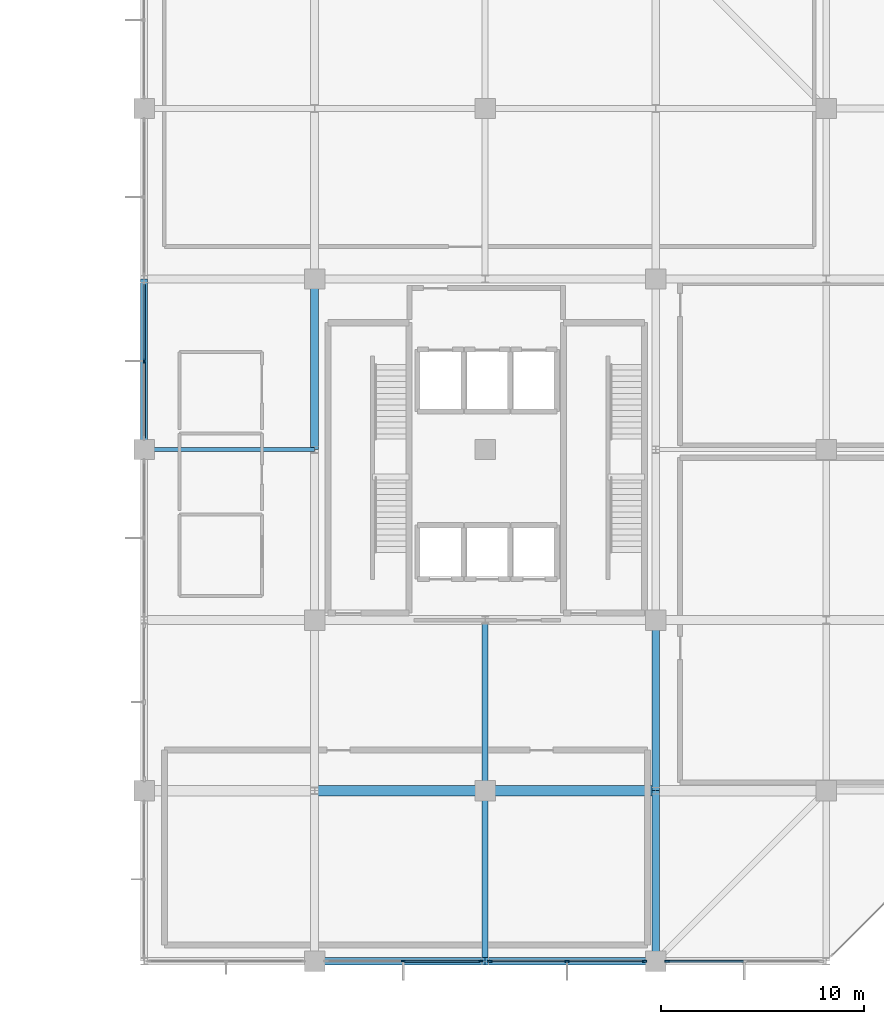
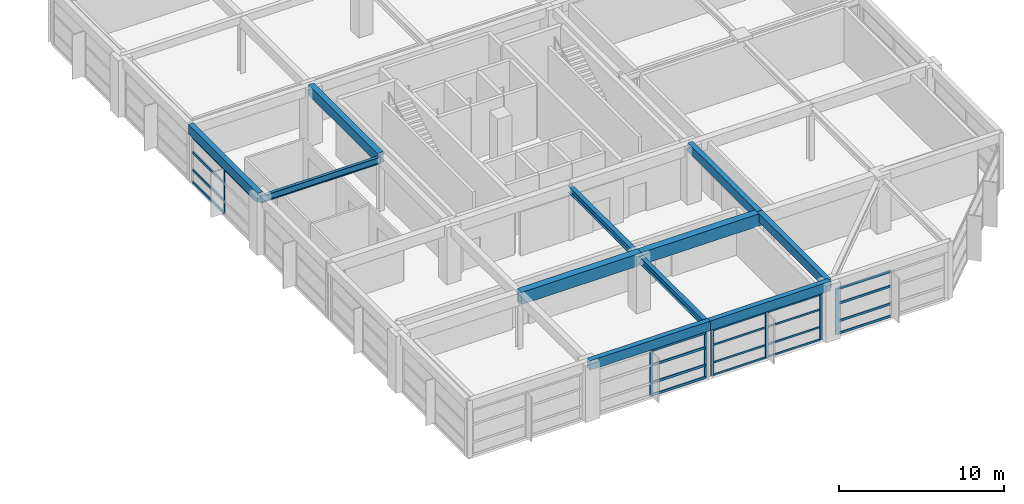
# One storey, part 19 of 32: 28 members, 11 beams, 4 elements without a shape of their own.
"""IFC4 building model written with IfcOpenShell, lengths in metres."""

from ifc_helpers import new_model, si_unit, direction, frame, origin, origin_2d, place, context, subcontext, project, spatial, rectangle, i_section, extrude, material, material_profile, profile_set, type_object, element, aggregate, save


model = new_model("IFC4")

# Units and contexts
model_context = context("Model", 3, precision=1e-05, world=origin(), true_north=direction((0.0, 1.0)))
body_context = subcontext(model_context, "Body", "Model", "MODEL_VIEW")
ifc_project = project(units=[si_unit("LENGTHUNIT", "METRE"), si_unit("AREAUNIT", "SQUARE_METRE"), si_unit("VOLUMEUNIT", "CUBIC_METRE"), si_unit("PLANEANGLEUNIT", "RADIAN"), si_unit("MASSUNIT", "GRAM", prefix="KILO")], contexts=[model_context])

# Site, building, storey
site_placement = place(None, origin())
site = spatial("IfcSite", under=ifc_project, at=site_placement, CompositionType="ELEMENT")
building_placement = place(site_placement, origin())
building = spatial("IfcBuilding", under=site, at=building_placement, Name="Xuanlan Plaza Opera House", CompositionType="ELEMENT")
storey_placement = place(building_placement, frame((0.0, 0.0, 40.5)))
storey = spatial("IfcBuildingStorey", under=building, at=storey_placement, Name="L09", CompositionType="ELEMENT", Elevation=40.5)

# Curtain wall, members
ifc_material_1 = material(Name="Anodised Aluminium 6063-T6 and Low-E Glass", Category="aluminium")
curtain_wall_type_1 = type_object("IfcCurtainWallType", Name="ENV-CW-CW-01", PredefinedType="USERDEFINED", material=ifc_material_1)
curtain_wall_1_placement = place(storey_placement, origin())
curtain_wall_1 = element("IfcCurtainWall", 1, at=curtain_wall_1_placement, inside=storey, type_object=curtain_wall_type_1, Name="Unitised Curtain Wall L09-002", ObjectType="UNITISED CURTAIN WALL", PredefinedType="USERDEFINED")
ifc_material_2 = material(Name="Anodised Aluminium 6063-T6", Category="aluminium")
ifc_material_profile_1 = material_profile(ifc_material_2, rectangle(XDim=0.074951171875, YDim=0.199951171875, at=origin_2d()), Name="ALU-M 75x200")
ifc_profile_set_1 = profile_set([ifc_material_profile_1], Name="Anodised Aluminium 6063-T6")
member_type_1 = type_object("IfcMemberType", Name="ENV-CWM-03", PredefinedType="MULLION", material=ifc_profile_set_1)
member_1_placement = place(storey_placement, frame((138.762451171875, 33.60009765625, 0.0), z_axis=(0.0, 0.0, 1.0), x_axis=(0.0, 1.0, 0.0)))
member_1 = element("IfcMember", 2, at=member_1_placement, type_object=member_type_1, Name="CW-01 mullion 2", PredefinedType="MULLION", context=body_context, shape_type="SweptSolid", body=[
    extrude(rectangle(XDim=0.074951171875, YDim=0.199951171875, at=origin_2d()), origin(), (0.0, 0.0, 1.0), 3.3798828125),
])
member_2_placement = place(storey_placement, frame((142.5673828125, 33.60009765625, 0.0), z_axis=(0.0, 0.0, 1.0), x_axis=(0.0, 1.0, 0.0)))
member_2 = element("IfcMember", 3, at=member_2_placement, type_object=member_type_1, Name="CW-01 mullion 3", PredefinedType="MULLION", context=body_context, shape_type="SweptSolid", body=[
    extrude(rectangle(XDim=0.074951171875, YDim=0.199951171875, at=origin_2d()), origin(), (0.0, 0.0, 1.0), 3.3798828125),
])

# Curtain wall, member
curtain_wall_type_2 = type_object("IfcCurtainWallType", Name="ENV-CW-CW-04", PredefinedType="USERDEFINED", material=ifc_material_1)
curtain_wall_2_placement = place(storey_placement, origin())
curtain_wall_2 = element("IfcCurtainWall", 4, at=curtain_wall_2_placement, inside=storey, type_object=curtain_wall_type_2, Name="Unitised Curtain Wall L09-017", ObjectType="UNITISED CURTAIN WALL", PredefinedType="USERDEFINED")
member_3_placement = place(storey_placement, frame((126.0, 63.16259765625, 0.0), z_axis=(0.0, 0.0, 1.0), x_axis=(1.0, 0.0, 0.0)))
member_3 = element("IfcMember", 5, at=member_3_placement, type_object=member_type_1, Name="CW-04 mullion 2", PredefinedType="MULLION", context=body_context, shape_type="SweptSolid", body=[
    extrude(rectangle(XDim=0.074951171875, YDim=0.199951171875, at=origin_2d()), origin(), (0.0, 0.0, 1.0), 3.3798828125),
])

# Curtain wall, members
curtain_wall_type_3 = type_object("IfcCurtainWallType", Name="ENV-CW-CW-02", PredefinedType="USERDEFINED", material=ifc_material_1)
curtain_wall_3_placement = place(storey_placement, origin())
curtain_wall_3 = element("IfcCurtainWall", 6, at=curtain_wall_3_placement, inside=storey, type_object=curtain_wall_type_3, Name="Unitised Curtain Wall L09-003", ObjectType="UNITISED CURTAIN WALL", PredefinedType="USERDEFINED")
ifc_material_profile_2 = material_profile(ifc_material_2, rectangle(XDim=0.080078125, YDim=0.219970703125, at=origin_2d()), Name="ALU-M 80x220")
ifc_profile_set_2 = profile_set([ifc_material_profile_2], Name="Anodised Aluminium 6063-T6")
member_type_2 = type_object("IfcMemberType", Name="ENV-CWM-04", PredefinedType="MULLION", material=ifc_profile_set_2)
member_4_placement = place(storey_placement, frame((143.034912109375, 33.60009765625, 0.0), z_axis=(0.0, 0.0, 1.0), x_axis=(0.0, 1.0, 0.0)))
member_4 = element("IfcMember", 7, at=member_4_placement, type_object=member_type_2, Name="CW-02 mullion 1", PredefinedType="MULLION", context=body_context, shape_type="SweptSolid", body=[
    extrude(rectangle(XDim=0.080078125, YDim=0.219970703125, at=origin_2d()), origin(), (0.0, 0.0, 1.0), 3.3798828125),
])
member_5_placement = place(storey_placement, frame((146.83740234375, 33.60009765625, 0.0), z_axis=(0.0, 0.0, 1.0), x_axis=(0.0, 1.0, 0.0)))
member_5 = element("IfcMember", 8, at=member_5_placement, type_object=member_type_2, Name="CW-02 mullion 2", PredefinedType="MULLION", context=body_context, shape_type="SweptSolid", body=[
    extrude(rectangle(XDim=0.080078125, YDim=0.219970703125, at=origin_2d()), origin(), (0.0, 0.0, 1.0), 3.3798828125),
])
member_6_placement = place(storey_placement, frame((150.639892578125, 33.60009765625, 0.0), z_axis=(0.0, 0.0, 1.0), x_axis=(0.0, 1.0, 0.0)))
member_6 = element("IfcMember", 9, at=member_6_placement, type_object=member_type_2, Name="CW-02 mullion 3", PredefinedType="MULLION", context=body_context, shape_type="SweptSolid", body=[
    extrude(rectangle(XDim=0.080078125, YDim=0.219970703125, at=origin_2d()), origin(), (0.0, 0.0, 1.0), 3.3798828125),
])

# Curtain wall, member
curtain_wall_type_4 = type_object("IfcCurtainWallType", Name="ENV-CW-CW-03", PredefinedType="USERDEFINED", material=ifc_material_1)
curtain_wall_4_placement = place(storey_placement, origin())
curtain_wall_4 = element("IfcCurtainWall", 10, at=curtain_wall_4_placement, inside=storey, type_object=curtain_wall_type_4, Name="Unitised Curtain Wall L09-004", ObjectType="UNITISED CURTAIN WALL", PredefinedType="USERDEFINED")
ifc_material_profile_3 = material_profile(ifc_material_2, rectangle(XDim=0.090087890625, YDim=0.25, at=origin_2d()), Name="ALU-M 90x250")
ifc_profile_set_3 = profile_set([ifc_material_profile_3], Name="Anodised Aluminium 6063-T6")
member_type_3 = type_object("IfcMemberType", Name="ENV-CWM-05", PredefinedType="MULLION", material=ifc_profile_set_3)
member_7_placement = place(storey_placement, frame((151.764892578125, 33.60009765625, 0.0), z_axis=(0.0, 0.0, 1.0), x_axis=(0.0, 1.0, 0.0)))
member_7 = element("IfcMember", 11, at=member_7_placement, type_object=member_type_3, Name="CW-03 mullion 1", PredefinedType="MULLION", context=body_context, shape_type="SweptSolid", body=[
    extrude(rectangle(XDim=0.090087890625, YDim=0.25, at=origin_2d()), origin(), (0.0, 0.0, 1.0), 3.3798828125),
])

# Member
ifc_material_profile_4 = material_profile(ifc_material_2, rectangle(XDim=0.070068359375, YDim=0.135009765625, at=origin_2d()), Name="ALU-T 70x135")
ifc_profile_set_4 = profile_set([ifc_material_profile_4], Name="Anodised Aluminium 6063-T6")
member_type_4 = type_object("IfcMemberType", Name="ENV-CWT-02", PredefinedType="USERDEFINED", material=ifc_profile_set_4)
member_8_placement = place(storey_placement, frame((143.074951171875, 33.60009765625, 0.034912109375), z_axis=(1.0, 0.0, 0.0), x_axis=(0.0, 1.0, 0.0)))
member_8 = element("IfcMember", 12, at=member_8_placement, type_object=member_type_4, Name="CW-02 transom 1.1", ObjectType="TRANSOM", PredefinedType="USERDEFINED", context=body_context, shape_type="SweptSolid", body=[
    extrude(rectangle(XDim=0.070068359375, YDim=0.135009765625, at=origin_2d()), origin(), (0.0, 0.0, 1.0), 3.72265625),
])

member_9_placement = place(storey_placement, frame((143.074951171875, 33.60009765625, 0.949951171875), z_axis=(1.0, 0.0, 0.0), x_axis=(0.0, 1.0, 0.0)))
member_9 = element("IfcMember", 13, at=member_9_placement, type_object=member_type_4, Name="CW-02 transom 1.2", ObjectType="TRANSOM", PredefinedType="USERDEFINED", context=body_context, shape_type="SweptSolid", body=[
    extrude(rectangle(XDim=0.070068359375, YDim=0.135009765625, at=origin_2d()), origin(), (0.0, 0.0, 1.0), 3.72265625),
])

member_10_placement = place(storey_placement, frame((143.074951171875, 33.60009765625, 2.25), z_axis=(1.0, 0.0, 0.0), x_axis=(0.0, 1.0, 0.0)))
member_10 = element("IfcMember", 14, at=member_10_placement, type_object=member_type_4, Name="CW-02 transom 1.3", ObjectType="TRANSOM", PredefinedType="USERDEFINED", context=body_context, shape_type="SweptSolid", body=[
    extrude(rectangle(XDim=0.070068359375, YDim=0.135009765625, at=origin_2d()), origin(), (0.0, 0.0, 1.0), 3.72265625),
])

member_11_placement = place(storey_placement, frame((143.074951171875, 33.60009765625, 3.344970703125), z_axis=(1.0, 0.0, 0.0), x_axis=(0.0, 1.0, 0.0)))
member_11 = element("IfcMember", 15, at=member_11_placement, type_object=member_type_4, Name="CW-02 transom 1.4", ObjectType="TRANSOM", PredefinedType="USERDEFINED", context=body_context, shape_type="SweptSolid", body=[
    extrude(rectangle(XDim=0.070068359375, YDim=0.135009765625, at=origin_2d()), origin(), (0.0, 0.0, 1.0), 3.72265625),
])

member_12_placement = place(storey_placement, frame((146.87744140625, 33.60009765625, 0.034912109375), z_axis=(1.0, 0.0, 0.0), x_axis=(0.0, 1.0, 0.0)))
member_12 = element("IfcMember", 16, at=member_12_placement, type_object=member_type_4, Name="CW-02 transom 2.1", ObjectType="TRANSOM", PredefinedType="USERDEFINED", context=body_context, shape_type="SweptSolid", body=[
    extrude(rectangle(XDim=0.070068359375, YDim=0.135009765625, at=origin_2d()), origin(), (0.0, 0.0, 1.0), 3.72265625),
])

member_13_placement = place(storey_placement, frame((146.87744140625, 33.60009765625, 0.949951171875), z_axis=(1.0, 0.0, 0.0), x_axis=(0.0, 1.0, 0.0)))
member_13 = element("IfcMember", 17, at=member_13_placement, type_object=member_type_4, Name="CW-02 transom 2.2", ObjectType="TRANSOM", PredefinedType="USERDEFINED", context=body_context, shape_type="SweptSolid", body=[
    extrude(rectangle(XDim=0.070068359375, YDim=0.135009765625, at=origin_2d()), origin(), (0.0, 0.0, 1.0), 3.72265625),
])

member_14_placement = place(storey_placement, frame((146.87744140625, 33.60009765625, 2.25), z_axis=(1.0, 0.0, 0.0), x_axis=(0.0, 1.0, 0.0)))
member_14 = element("IfcMember", 18, at=member_14_placement, type_object=member_type_4, Name="CW-02 transom 2.3", ObjectType="TRANSOM", PredefinedType="USERDEFINED", context=body_context, shape_type="SweptSolid", body=[
    extrude(rectangle(XDim=0.070068359375, YDim=0.135009765625, at=origin_2d()), origin(), (0.0, 0.0, 1.0), 3.72265625),
])

member_15_placement = place(storey_placement, frame((146.87744140625, 33.60009765625, 3.344970703125), z_axis=(1.0, 0.0, 0.0), x_axis=(0.0, 1.0, 0.0)))
member_15 = element("IfcMember", 19, at=member_15_placement, type_object=member_type_4, Name="CW-02 transom 2.4", ObjectType="TRANSOM", PredefinedType="USERDEFINED", context=body_context, shape_type="SweptSolid", body=[
    extrude(rectangle(XDim=0.070068359375, YDim=0.135009765625, at=origin_2d()), origin(), (0.0, 0.0, 1.0), 3.72265625),
])

aggregate(curtain_wall_3, [member_4, member_5, member_6, member_8, member_9, member_10, member_11, member_12, member_13, member_14, member_15])

ifc_material_profile_5 = material_profile(ifc_material_2, rectangle(XDim=0.080078125, YDim=0.1650390625, at=origin_2d()), Name="ALU-T 80x165")
ifc_profile_set_5 = profile_set([ifc_material_profile_5], Name="Anodised Aluminium 6063-T6")
member_type_5 = type_object("IfcMemberType", Name="ENV-CWT-04", PredefinedType="USERDEFINED", material=ifc_profile_set_5)
member_16_placement = place(storey_placement, frame((151.81005859375, 33.60009765625, 0.0400390625), z_axis=(1.0, 0.0, 0.0), x_axis=(0.0, 1.0, 0.0)))
member_16 = element("IfcMember", 20, at=member_16_placement, type_object=member_type_5, Name="CW-03 transom 1.1", ObjectType="TRANSOM", PredefinedType="USERDEFINED", context=body_context, shape_type="SweptSolid", body=[
    extrude(rectangle(XDim=0.080078125, YDim=0.1650390625, at=origin_2d()), origin(), (0.0, 0.0, 1.0), 3.70751953125),
])

member_17_placement = place(storey_placement, frame((151.81005859375, 33.60009765625, 0.949951171875), z_axis=(1.0, 0.0, 0.0), x_axis=(0.0, 1.0, 0.0)))
member_17 = element("IfcMember", 21, at=member_17_placement, type_object=member_type_5, Name="CW-03 transom 1.2", ObjectType="TRANSOM", PredefinedType="USERDEFINED", context=body_context, shape_type="SweptSolid", body=[
    extrude(rectangle(XDim=0.080078125, YDim=0.1650390625, at=origin_2d()), origin(), (0.0, 0.0, 1.0), 3.70751953125),
])

member_18_placement = place(storey_placement, frame((151.81005859375, 33.60009765625, 2.25), z_axis=(1.0, 0.0, 0.0), x_axis=(0.0, 1.0, 0.0)))
member_18 = element("IfcMember", 22, at=member_18_placement, type_object=member_type_5, Name="CW-03 transom 1.3", ObjectType="TRANSOM", PredefinedType="USERDEFINED", context=body_context, shape_type="SweptSolid", body=[
    extrude(rectangle(XDim=0.080078125, YDim=0.1650390625, at=origin_2d()), origin(), (0.0, 0.0, 1.0), 3.70751953125),
])

member_19_placement = place(storey_placement, frame((151.81005859375, 33.60009765625, 3.340087890625), z_axis=(1.0, 0.0, 0.0), x_axis=(0.0, 1.0, 0.0)))
member_19 = element("IfcMember", 23, at=member_19_placement, type_object=member_type_5, Name="CW-03 transom 1.4", ObjectType="TRANSOM", PredefinedType="USERDEFINED", context=body_context, shape_type="SweptSolid", body=[
    extrude(rectangle(XDim=0.080078125, YDim=0.1650390625, at=origin_2d()), origin(), (0.0, 0.0, 1.0), 3.70751953125),
])

aggregate(curtain_wall_4, [member_7, member_16, member_17, member_18, member_19])

ifc_material_profile_6 = material_profile(ifc_material_2, rectangle(XDim=0.090087890625, YDim=0.179931640625, at=origin_2d()), Name="ALU-T 90x180")
ifc_profile_set_6 = profile_set([ifc_material_profile_6], Name="Anodised Aluminium 6063-T6")
member_type_6 = type_object("IfcMemberType", Name="ENV-CWT-05", PredefinedType="USERDEFINED", material=ifc_profile_set_6)
member_20_placement = place(storey_placement, frame((138.800048828125, 33.60009765625, 0.044921875), z_axis=(1.0, 0.0, 0.0), x_axis=(0.0, 1.0, 0.0)))
member_20 = element("IfcMember", 24, at=member_20_placement, type_object=member_type_6, Name="CW-01 transom 2.1", ObjectType="TRANSOM", PredefinedType="USERDEFINED", context=body_context, shape_type="SweptSolid", body=[
    extrude(rectangle(XDim=0.090087890625, YDim=0.179931640625, at=origin_2d()), origin(), (0.0, 0.0, 1.0), 3.72998046875),
])

member_21_placement = place(storey_placement, frame((138.800048828125, 33.60009765625, 0.949951171875), z_axis=(1.0, 0.0, 0.0), x_axis=(0.0, 1.0, 0.0)))
member_21 = element("IfcMember", 25, at=member_21_placement, type_object=member_type_6, Name="CW-01 transom 2.2", ObjectType="TRANSOM", PredefinedType="USERDEFINED", context=body_context, shape_type="SweptSolid", body=[
    extrude(rectangle(XDim=0.090087890625, YDim=0.179931640625, at=origin_2d()), origin(), (0.0, 0.0, 1.0), 3.72998046875),
])

member_22_placement = place(storey_placement, frame((138.800048828125, 33.60009765625, 2.25), z_axis=(1.0, 0.0, 0.0), x_axis=(0.0, 1.0, 0.0)))
member_22 = element("IfcMember", 26, at=member_22_placement, type_object=member_type_6, Name="CW-01 transom 2.3", ObjectType="TRANSOM", PredefinedType="USERDEFINED", context=body_context, shape_type="SweptSolid", body=[
    extrude(rectangle(XDim=0.090087890625, YDim=0.179931640625, at=origin_2d()), origin(), (0.0, 0.0, 1.0), 3.72998046875),
])

member_23_placement = place(storey_placement, frame((138.800048828125, 33.60009765625, 3.3349609375), z_axis=(1.0, 0.0, 0.0), x_axis=(0.0, 1.0, 0.0)))
member_23 = element("IfcMember", 27, at=member_23_placement, type_object=member_type_6, Name="CW-01 transom 2.4", ObjectType="TRANSOM", PredefinedType="USERDEFINED", context=body_context, shape_type="SweptSolid", body=[
    extrude(rectangle(XDim=0.090087890625, YDim=0.179931640625, at=origin_2d()), origin(), (0.0, 0.0, 1.0), 3.72998046875),
])

aggregate(curtain_wall_1, [member_1, member_2, member_20, member_21, member_22, member_23])

member_24_placement = place(storey_placement, frame((126.0, 66.929931640625, 0.044921875), z_axis=(0.0, -1.0, 0.0), x_axis=(1.0, 0.0, 0.0)))
member_24 = element("IfcMember", 28, at=member_24_placement, type_object=member_type_6, Name="CW-04 transom 1.1", ObjectType="TRANSOM", PredefinedType="USERDEFINED", context=body_context, shape_type="SweptSolid", body=[
    extrude(rectangle(XDim=0.090087890625, YDim=0.179931640625, at=origin_2d()), origin(), (0.0, 0.0, 1.0), 3.72998046875),
])

member_25_placement = place(storey_placement, frame((126.0, 66.929931640625, 0.949951171875), z_axis=(0.0, -1.0, 0.0), x_axis=(1.0, 0.0, 0.0)))
member_25 = element("IfcMember", 29, at=member_25_placement, type_object=member_type_6, Name="CW-04 transom 1.2", ObjectType="TRANSOM", PredefinedType="USERDEFINED", context=body_context, shape_type="SweptSolid", body=[
    extrude(rectangle(XDim=0.090087890625, YDim=0.179931640625, at=origin_2d()), origin(), (0.0, 0.0, 1.0), 3.72998046875),
])

member_26_placement = place(storey_placement, frame((126.0, 66.929931640625, 2.25), z_axis=(0.0, -1.0, 0.0), x_axis=(1.0, 0.0, 0.0)))
member_26 = element("IfcMember", 30, at=member_26_placement, type_object=member_type_6, Name="CW-04 transom 1.3", ObjectType="TRANSOM", PredefinedType="USERDEFINED", context=body_context, shape_type="SweptSolid", body=[
    extrude(rectangle(XDim=0.090087890625, YDim=0.179931640625, at=origin_2d()), origin(), (0.0, 0.0, 1.0), 3.72998046875),
])

member_27_placement = place(storey_placement, frame((126.0, 66.929931640625, 3.3349609375), z_axis=(0.0, -1.0, 0.0), x_axis=(1.0, 0.0, 0.0)))
member_27 = element("IfcMember", 31, at=member_27_placement, type_object=member_type_6, Name="CW-04 transom 1.4", ObjectType="TRANSOM", PredefinedType="USERDEFINED", context=body_context, shape_type="SweptSolid", body=[
    extrude(rectangle(XDim=0.090087890625, YDim=0.179931640625, at=origin_2d()), origin(), (0.0, 0.0, 1.0), 3.72998046875),
])

member_28_placement = place(storey_placement, frame((126.0, 63.125, 3.3349609375), z_axis=(0.0, -1.0, 0.0), x_axis=(1.0, 0.0, 0.0)))
member_28 = element("IfcMember", 32, at=member_28_placement, type_object=member_type_6, Name="CW-04 transom 2.4", ObjectType="TRANSOM", PredefinedType="USERDEFINED", context=body_context, shape_type="SweptSolid", body=[
    extrude(rectangle(XDim=0.090087890625, YDim=0.179931640625, at=origin_2d()), origin(), (0.0, 0.0, 1.0), 3.72998046875),
])

aggregate(curtain_wall_2, [member_3, member_24, member_25, member_26, member_27, member_28])

# Beams
ifc_material_3 = material(Name="Concrete C40", Category="concrete")
ifc_material_profile_7 = material_profile(ifc_material_3, rectangle(XDim=0.5, YDim=0.89990234375, at=origin_2d()), Name="RC-BM 500x900")
ifc_profile_set_7 = profile_set([ifc_material_profile_7], Name="Concrete C40")
beam_type_1 = type_object("IfcBeamType", Name="STR-BM-B-03", PredefinedType="BEAM", material=ifc_profile_set_7)
beam_1_placement = place(storey_placement, frame((134.39990234375, 42.0, 3.75), z_axis=(1.0, 0.0, 0.0), x_axis=(0.0, 1.0, 0.0)))
element("IfcBeam", 33, at=beam_1_placement, inside=storey, type_object=beam_type_1, Name="Grid Beam X L09 17-18/F", PredefinedType="BEAM", context=body_context, shape_type="SweptSolid", body=[
    extrude(rectangle(XDim=0.5, YDim=0.89990234375, at=origin_2d()), origin(), (0.0, 0.0, 1.0), 8.400146484375),
])
beam_2_placement = place(storey_placement, frame((142.800048828125, 42.0, 3.75), z_axis=(1.0, 0.0, 0.0), x_axis=(0.0, 1.0, 0.0)))
element("IfcBeam", 34, at=beam_2_placement, inside=storey, type_object=beam_type_1, Name="Grid Beam X L09 18-19/F", PredefinedType="BEAM", context=body_context, shape_type="SweptSolid", body=[
    extrude(rectangle(XDim=0.5, YDim=0.89990234375, at=origin_2d()), origin(), (0.0, 0.0, 1.0), 8.39990234375),
])
ifc_material_profile_8 = material_profile(ifc_material_3, rectangle(XDim=0.39990234375, YDim=0.75, at=origin_2d()), Name="RC-BM 400x750")
ifc_profile_set_8 = profile_set([ifc_material_profile_8], Name="Concrete C40")
beam_type_2 = type_object("IfcBeamType", Name="STR-BM-B-06", PredefinedType="BEAM", material=ifc_profile_set_8)
beam_3_placement = place(storey_placement, frame((134.39990234375, 58.800048828125, 3.824951171875), z_axis=(0.0, 1.0, 0.0), x_axis=(-1.0, 0.0, 0.0)))
element("IfcBeam", 35, at=beam_3_placement, inside=storey, type_object=beam_type_2, Name="Grid Beam Y L09 17/H-I", PredefinedType="BEAM", context=body_context, shape_type="SweptSolid", body=[
    extrude(rectangle(XDim=0.39990234375, YDim=0.75, at=origin_2d()), origin(), (0.0, 0.0, 1.0), 8.39990234375),
])
ifc_material_profile_9 = material_profile(ifc_material_3, rectangle(XDim=0.35009765625, YDim=0.64990234375, at=origin_2d()), Name="RC-BM 350x650")
ifc_profile_set_9 = profile_set([ifc_material_profile_9], Name="Concrete C40")
beam_type_3 = type_object("IfcBeamType", Name="STR-BM-B-08", PredefinedType="BEAM", material=ifc_profile_set_9)
for number, where, z_axis, x_axis, name in (
    (36, (151.199951171875, 33.60009765625, 3.875), (0.0, 1.0, 0.0), (-1.0, 0.0, 0.0), "Grid Beam Y L09 19/E-F"),
    (37, (151.199951171875, 42.0, 3.875), (0.0, 1.0, 0.0), (-1.0, 0.0, 0.0), "Grid Beam Y L09 19/F-G"),
):
    element("IfcBeam", number, at=place(storey_placement, frame(where, z_axis=z_axis, x_axis=x_axis)), inside=storey, type_object=beam_type_3, Name=name, PredefinedType="BEAM", context=body_context, shape_type="SweptSolid", body=[
        extrude(rectangle(XDim=0.35009765625, YDim=0.64990234375, at=origin_2d()), origin(), (0.0, 0.0, 1.0), 8.39990234375),
    ])
ifc_material_4 = material(Name="Steel Q355B", Category="steel")
ifc_material_profile_10 = material_profile(ifc_material_4, i_section(OverallWidth=0.199951171875, OverallDepth=0.5, WebThickness=0.010009765625, FlangeThickness=0.01611328125, FilletRadius=0.02001953125, at=origin_2d()), Name="HN 500x200x10x16")
ifc_profile_set_10 = profile_set([ifc_material_profile_10], Name="Steel Q355B")
beam_type_4 = type_object("IfcBeamType", Name="STR-BM-SB-05", PredefinedType="BEAM", material=ifc_profile_set_10)
beam_4_placement = place(storey_placement, frame((126.0, 58.800048828125, 3.705078125), z_axis=(1.0, 0.0, 0.0), x_axis=(0.0, 1.0, 0.0)))
element("IfcBeam", 38, at=beam_4_placement, inside=storey, type_object=beam_type_4, Name="Grid Beam X L09 16-17/H", PredefinedType="BEAM", context=body_context, shape_type="SweptSolid", body=[
    extrude(i_section(OverallWidth=0.199951171875, OverallDepth=0.5, WebThickness=0.010009765625, FlangeThickness=0.01611328125, FilletRadius=0.02001953125, at=origin_2d()), origin(), (0.0, 0.0, 1.0), 8.39990234375),
])
ifc_material_profile_11 = material_profile(ifc_material_4, i_section(OverallWidth=0.300048828125, OverallDepth=0.488037109375, WebThickness=0.010986328125, FlangeThickness=0.01806640625, FilletRadius=0.02197265625, at=origin_2d()), Name="HM 488x300x11x18")
ifc_profile_set_11 = profile_set([ifc_material_profile_11], Name="Steel Q355B")
beam_type_5 = type_object("IfcBeamType", Name="STR-BM-SB-07", PredefinedType="BEAM", material=ifc_profile_set_11)
for number, where, z_axis, x_axis, name in (
    (39, (142.800048828125, 33.60009765625, 3.7109375), (0.0, 1.0, 0.0), (-1.0, 0.0, 0.0), "Grid Beam Y L09 18/E-F"),
    (40, (142.800048828125, 42.0, 3.7109375), (0.0, 1.0, 0.0), (-1.0, 0.0, 0.0), "Grid Beam Y L09 18/F-G"),
):
    element("IfcBeam", number, at=place(storey_placement, frame(where, z_axis=z_axis, x_axis=x_axis)), inside=storey, type_object=beam_type_5, Name=name, PredefinedType="BEAM", context=body_context, shape_type="SweptSolid", body=[
        extrude(i_section(OverallWidth=0.300048828125, OverallDepth=0.488037109375, WebThickness=0.010986328125, FlangeThickness=0.01806640625, FilletRadius=0.02197265625, at=origin_2d()), origin(), (0.0, 0.0, 1.0), 8.39990234375),
    ])
ifc_material_profile_12 = material_profile(ifc_material_3, rectangle(XDim=0.35009765625, YDim=0.699951171875, at=origin_2d()), Name="RC-SPD 350x700")
ifc_profile_set_12 = profile_set([ifc_material_profile_12], Name="Concrete C40")
beam_type_6 = type_object("IfcBeamType", Name="STR-BM-SP-02", PredefinedType="SPANDREL", material=ifc_profile_set_12)
beam_5_placement = place(storey_placement, frame((134.39990234375, 33.60009765625, 3.85009765625), z_axis=(1.0, 0.0, 0.0), x_axis=(0.0, 1.0, 0.0)))
element("IfcBeam", 41, at=beam_5_placement, inside=storey, type_object=beam_type_6, Name="Grid Beam X L09 17-18/E", PredefinedType="SPANDREL", context=body_context, shape_type="SweptSolid", body=[
    extrude(rectangle(XDim=0.35009765625, YDim=0.699951171875, at=origin_2d()), origin(), (0.0, 0.0, 1.0), 8.400146484375),
])
for number, where, z_axis, x_axis, name in (
    (42, (142.800048828125, 33.60009765625, 3.85009765625), (1.0, 0.0, 0.0), (0.0, 1.0, 0.0), "Grid Beam X L09 18-19/E"),
    (43, (126.0, 58.800048828125, 3.85009765625), (0.0, 1.0, 0.0), (-1.0, 0.0, 0.0), "Grid Beam Y L09 16/H-I"),
):
    element("IfcBeam", number, at=place(storey_placement, frame(where, z_axis=z_axis, x_axis=x_axis)), inside=storey, type_object=beam_type_6, Name=name, PredefinedType="SPANDREL", context=body_context, shape_type="SweptSolid", body=[
        extrude(rectangle(XDim=0.35009765625, YDim=0.699951171875, at=origin_2d()), origin(), (0.0, 0.0, 1.0), 8.39990234375),
    ])

save(model, "model.ifc")
